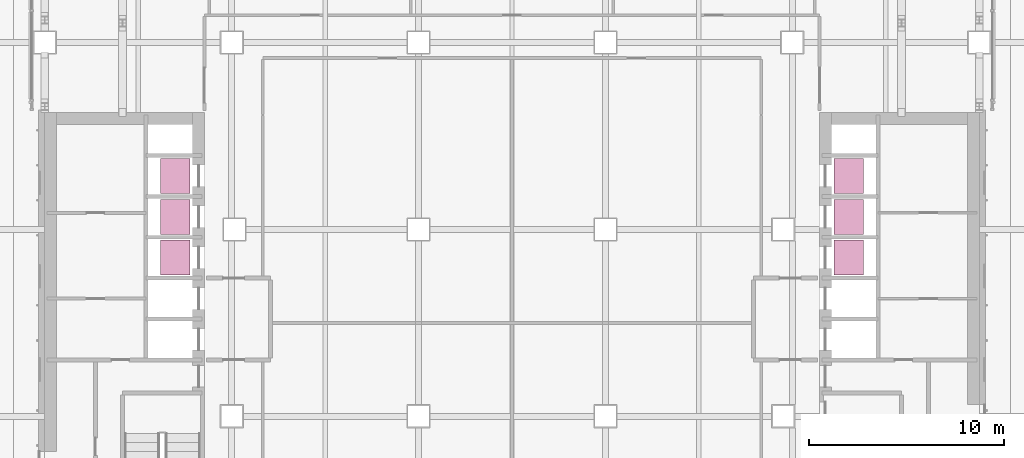
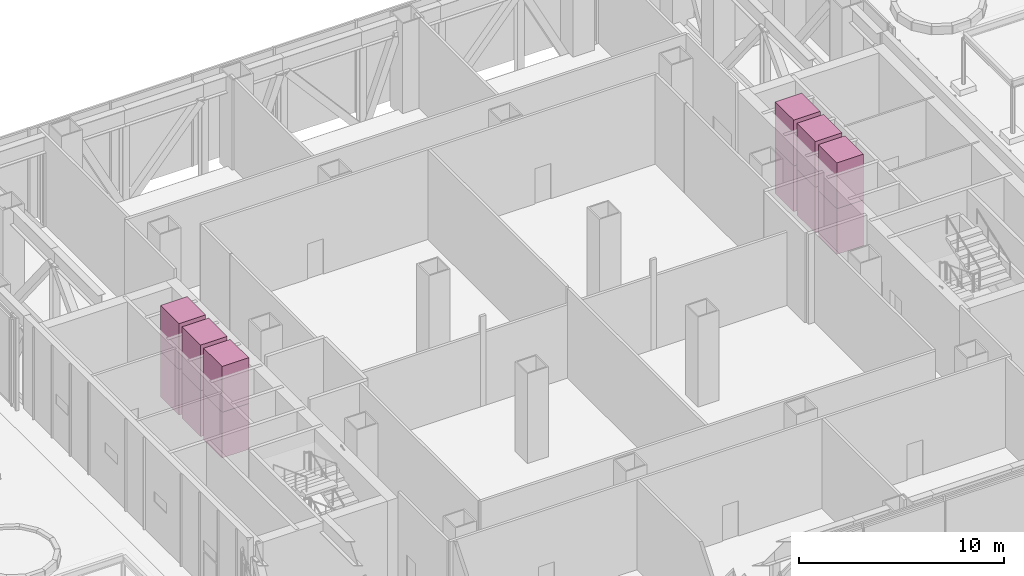
# One storey, part 39 of 39: 12 transport elements.
"""IFC4 building model written with IfcOpenShell, lengths in metres."""

from ifc_helpers import new_model, si_unit, direction, frame, origin, origin_2d, place, context, subcontext, project, spatial, rectangle, extrude, material, type_object, element, save


model = new_model("IFC4")

# Units and contexts
model_context = context("Model", 3, precision=1e-05, world=origin(), true_north=direction((0.0, 1.0)))
body_context = subcontext(model_context, "Body", "Model", "MODEL_VIEW")
ifc_project = project(units=[si_unit("LENGTHUNIT", "METRE"), si_unit("AREAUNIT", "SQUARE_METRE"), si_unit("VOLUMEUNIT", "CUBIC_METRE"), si_unit("PLANEANGLEUNIT", "RADIAN"), si_unit("MASSUNIT", "GRAM", prefix="KILO")], contexts=[model_context])

# Site, building, storey
site_placement = place(None, origin())
site = spatial("IfcSite", under=ifc_project, at=site_placement, CompositionType="ELEMENT")
building_placement = place(site_placement, origin())
building = spatial("IfcBuilding", under=site, at=building_placement, Name="Cobrizo Arcos Hotel Tower", CompositionType="ELEMENT")
storey_placement = place(building_placement, frame((0.0, 0.0, 33.5)))
storey = spatial("IfcBuildingStorey", under=building, at=storey_placement, Name="L06", CompositionType="ELEMENT", Elevation=33.5)

# Transport elements
ifc_material = material(Name="Stainless steel car", Category="steel")
transport_element_type = type_object("IfcTransportElementType", Name="Lift car Low 1.8x1.5", PredefinedType="ELEVATOR", material=ifc_material)
for number, where, z_axis, x_axis, name in (
    (1, (-17.300048828125, 3.35009765625, 0.0), (0.0, 0.0, 1.0), (1.0, 0.0, 0.0), "Low-rise passenger lift W1"),
    (2, (-17.300048828125, 3.35009765625, 2.724853515625), (0.0, 0.0, 1.0), (1.0, 0.0, 0.0), "Low-rise passenger lift W1"),
    (3, (-17.300048828125, 5.449951171875, 0.0), (0.0, 0.0, 1.0), (1.0, 0.0, 0.0), "Low-rise passenger lift W2"),
    (4, (-17.300048828125, 5.449951171875, 2.724853515625), (0.0, 0.0, 1.0), (1.0, 0.0, 0.0), "Low-rise passenger lift W2"),
    (5, (-17.300048828125, 7.550048828125, 0.0), (0.0, 0.0, 1.0), (1.0, 0.0, 0.0), "Low-rise passenger lift W3"),
    (6, (-17.300048828125, 7.550048828125, 2.724853515625), (0.0, 0.0, 1.0), (1.0, 0.0, 0.0), "Low-rise passenger lift W3"),
    (7, (17.300048828125, 3.35009765625, 0.0), (0.0, 0.0, 1.0), (1.0, 0.0, 0.0), "Low-rise passenger lift E1"),
    (8, (17.300048828125, 3.35009765625, 2.724853515625), (0.0, 0.0, 1.0), (1.0, 0.0, 0.0), "Low-rise passenger lift E1"),
    (9, (17.300048828125, 5.449951171875, 0.0), (0.0, 0.0, 1.0), (1.0, 0.0, 0.0), "Low-rise passenger lift E2"),
    (10, (17.300048828125, 5.449951171875, 2.724853515625), (0.0, 0.0, 1.0), (1.0, 0.0, 0.0), "Low-rise passenger lift E2"),
    (11, (17.300048828125, 7.550048828125, 0.0), (0.0, 0.0, 1.0), (1.0, 0.0, 0.0), "Low-rise passenger lift E3"),
    (12, (17.300048828125, 7.550048828125, 2.724853515625), (0.0, 0.0, 1.0), (1.0, 0.0, 0.0), "Low-rise passenger lift E3"),
):
    element("IfcTransportElement", number, at=place(storey_placement, frame(where, z_axis=z_axis, x_axis=x_axis)), inside=storey, type_object=transport_element_type, Name=name, PredefinedType="ELEVATOR", context=body_context, shape_type="SweptSolid", body=[
        extrude(rectangle(XDim=1.5, YDim=1.800048828125, at=origin_2d()), origin(), (0.0, 0.0, 1.0), 2.72509765625),
    ])

save(model, "model.ifc")
